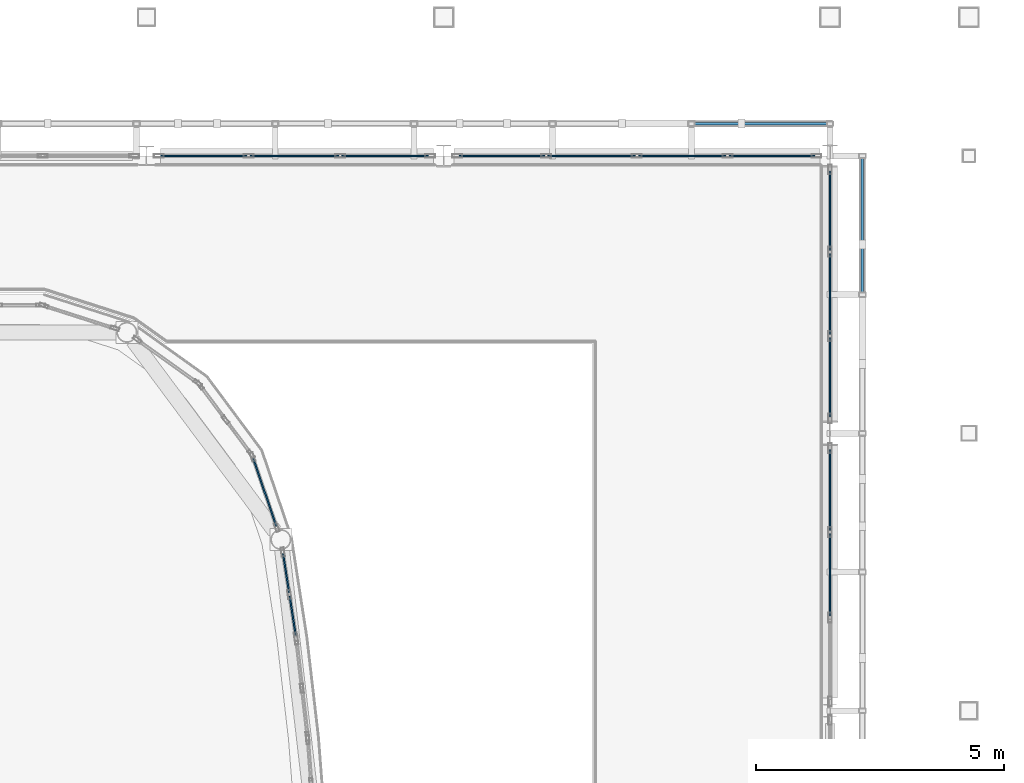
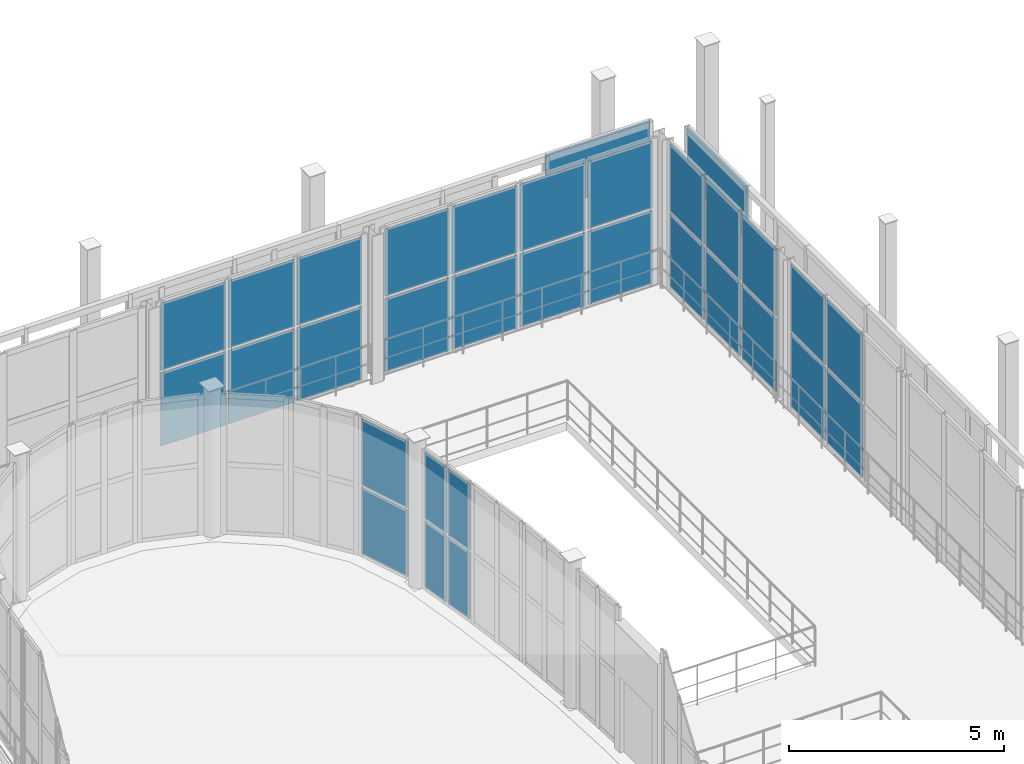
# One storey, part 84 of 121: 32 plates, 6 elements without a shape of their own.
"""IFC4 building model written with IfcOpenShell, lengths in metres."""

from ifc_helpers import new_model, si_unit, direction, frame, origin, origin_2d, place, context, subcontext, project, spatial, rectangle, extrude, material, layer, layer_set, type_object, element, aggregate, save


model = new_model("IFC4")

# Units and contexts
model_context = context("Model", 3, precision=1e-05, world=origin(), true_north=direction((0.0, 1.0)))
body_context = subcontext(model_context, "Body", "Model", "MODEL_VIEW")
ifc_project = project(units=[si_unit("LENGTHUNIT", "METRE"), si_unit("AREAUNIT", "SQUARE_METRE"), si_unit("VOLUMEUNIT", "CUBIC_METRE"), si_unit("PLANEANGLEUNIT", "RADIAN"), si_unit("MASSUNIT", "GRAM", prefix="KILO")], contexts=[model_context])

# Site, building, storey
site_placement = place(None, origin())
site = spatial("IfcSite", under=ifc_project, at=site_placement, CompositionType="ELEMENT")
building_placement = place(site_placement, origin())
building = spatial("IfcBuilding", under=site, at=building_placement, Name="Vinh Khe Railworks Police Headquarters", CompositionType="ELEMENT")
storey_placement = place(building_placement, frame((0.0, 0.0, 4.800048828125)))
storey = spatial("IfcBuildingStorey", under=building, at=storey_placement, Name="L01", CompositionType="ELEMENT", Elevation=4.800048828125)

# Curtain wall, plates
ifc_material_1 = material(Name="Anodised aluminium and acoustic laminated glass", Category="aluminium")
ifc_layer_1 = layer(ifc_material_1, 0.159912109375)
ifc_layer_set_1 = layer_set([ifc_layer_1], Name="Anodised aluminium and acoustic laminated glass")
curtain_wall_type_1 = type_object("IfcCurtainWallType", Name="CW-DRUM-CHORD", PredefinedType="USERDEFINED", material=ifc_layer_set_1)
curtain_wall_1_placement = place(storey_placement, origin())
curtain_wall_1 = element("IfcCurtainWall", 1, at=curtain_wall_1_placement, inside=storey, type_object=curtain_wall_type_1, Name="Elliptical Command Drum Glazing L01 Chord 9", ObjectType="DRUM FACADE GLAZING", PredefinedType="USERDEFINED")
ifc_material_2 = material(Name="Acoustic laminated solar-control glass", Category="glass")
ifc_layer_2 = layer(ifc_material_2, 0.031982421875)
ifc_layer_set_2 = layer_set([ifc_layer_2], Name="Acoustic laminated solar-control glass")
plate_type_1 = type_object("IfcPlateType", Name="PAN-DRUM-32", PredefinedType="CURTAIN_PANEL", material=ifc_layer_set_2)
plate_1_placement = place(storey_placement, frame((49.15185546875, 49.51806640625, 0.06494140625), z_axis=(0.0, 0.0, 1.0), x_axis=(-0.153489573502, 0.988150267331, 0.0)))
plate_1 = element("IfcPlate", 2, at=plate_1_placement, type_object=plate_type_1, Name="CW-02 panel 1.1", PredefinedType="CURTAIN_PANEL", context=body_context, shape_type="SweptSolid", body=[
    extrude(rectangle(XDim=0.802001953125, YDim=0.031982421875, at=origin_2d()), origin(), (0.0, 0.0, 1.0), 1.887451171875),
])
plate_2_placement = place(storey_placement, frame((49.15185546875, 49.51806640625, 2.017578125), z_axis=(0.0, 0.0, 1.0), x_axis=(-0.153489573502, 0.988150267331, 0.0)))
plate_2 = element("IfcPlate", 3, at=plate_2_placement, type_object=plate_type_1, Name="CW-02 panel 1.2", PredefinedType="CURTAIN_PANEL", context=body_context, shape_type="SweptSolid", body=[
    extrude(rectangle(XDim=0.802001953125, YDim=0.031982421875, at=origin_2d()), origin(), (0.0, 0.0, 1.0), 1.887451171875),
])
plate_3_placement = place(storey_placement, frame((49.018798828125, 50.374755859375, 0.06494140625), z_axis=(0.0, 0.0, 1.0), x_axis=(-0.153489573502, 0.988150267331, 0.0)))
plate_3 = element("IfcPlate", 4, at=plate_3_placement, type_object=plate_type_1, Name="CW-02 panel 2.1", PredefinedType="CURTAIN_PANEL", context=body_context, shape_type="SweptSolid", body=[
    extrude(rectangle(XDim=0.802001953125, YDim=0.031982421875, at=origin_2d()), origin(), (0.0, 0.0, 1.0), 1.887451171875),
])
plate_4_placement = place(storey_placement, frame((49.018798828125, 50.374755859375, 2.017578125), z_axis=(0.0, 0.0, 1.0), x_axis=(-0.153489573502, 0.988150267331, 0.0)))
plate_4 = element("IfcPlate", 5, at=plate_4_placement, type_object=plate_type_1, Name="CW-02 panel 2.2", PredefinedType="CURTAIN_PANEL", context=body_context, shape_type="SweptSolid", body=[
    extrude(rectangle(XDim=0.802001953125, YDim=0.031982421875, at=origin_2d()), origin(), (0.0, 0.0, 1.0), 1.887451171875),
])
aggregate(curtain_wall_1, [plate_1, plate_2, plate_3, plate_4])

curtain_wall_2_placement = place(storey_placement, origin())
curtain_wall_2 = element("IfcCurtainWall", 6, at=curtain_wall_2_placement, inside=storey, type_object=curtain_wall_type_1, Name="Elliptical Command Drum Glazing L01 Chord 10", ObjectType="DRUM FACADE GLAZING", PredefinedType="USERDEFINED")
plate_5_placement = place(storey_placement, frame((48.587646484375, 52.010498046875, 0.06494140625), z_axis=(0.0, 0.0, 1.0), x_axis=(-0.322750407381, 0.946484112141, 0.0)))
plate_5 = element("IfcPlate", 7, at=plate_5_placement, type_object=plate_type_1, Name="CW-02 panel 1.1", PredefinedType="CURTAIN_PANEL", context=body_context, shape_type="SweptSolid", body=[
    extrude(rectangle(XDim=1.440673828125, YDim=0.031982421875, at=origin_2d()), origin(), (0.0, 0.0, 1.0), 1.887451171875),
])
plate_6_placement = place(storey_placement, frame((48.587646484375, 52.010498046875, 2.017578125), z_axis=(0.0, 0.0, 1.0), x_axis=(-0.322750407381, 0.946484112141, 0.0)))
plate_6 = element("IfcPlate", 8, at=plate_6_placement, type_object=plate_type_1, Name="CW-02 panel 1.2", PredefinedType="CURTAIN_PANEL", context=body_context, shape_type="SweptSolid", body=[
    extrude(rectangle(XDim=1.440673828125, YDim=0.031982421875, at=origin_2d()), origin(), (0.0, 0.0, 1.0), 1.887451171875),
])
aggregate(curtain_wall_2, [plate_5, plate_6])

ifc_material_3 = material(Name="Anodised aluminium and low-iron glass", Category="aluminium")
ifc_layer_3 = layer(ifc_material_3, 0.179931640625)
ifc_layer_set_3 = layer_set([ifc_layer_3], Name="Anodised aluminium and low-iron glass")
curtain_wall_type_2 = type_object("IfcCurtainWallType", Name="CW-CUBE-UNIT", PredefinedType="USERDEFINED", material=ifc_layer_set_3)
curtain_wall_3_placement = place(storey_placement, origin())
curtain_wall_3 = element("IfcCurtainWall", 9, at=curtain_wall_3_placement, inside=storey, type_object=curtain_wall_type_2, Name="Entrance Hall Curtain Wall L01 N-4", ObjectType="UNITISED GLAZING", PredefinedType="USERDEFINED")
ifc_material_4 = material(Name="Low-iron laminated solar-control glass", Category="glass")
ifc_layer_4 = layer(ifc_material_4, 0.028076171875)
ifc_layer_set_4 = layer_set([ifc_layer_4], Name="Low-iron laminated solar-control glass")
plate_type_2 = type_object("IfcPlateType", Name="PAN-GLZ-28", PredefinedType="CURTAIN_PANEL", material=ifc_layer_set_4)
plate_7_placement = place(storey_placement, frame((47.356689453125, 58.800048828125, 0.06982421875), z_axis=(0.0, 0.0, 1.0), x_axis=(1.0, 0.0, 0.0)))
plate_7 = element("IfcPlate", 10, at=plate_7_placement, type_object=plate_type_2, Name="CW-01 panel 1.1", PredefinedType="CURTAIN_PANEL", context=body_context, shape_type="SweptSolid", body=[
    extrude(rectangle(XDim=1.743408203125, YDim=0.028076171875, at=origin_2d()), origin(), (0.0, 0.0, 1.0), 2.0791015625),
])
plate_8_placement = place(storey_placement, frame((47.356689453125, 58.800048828125, 2.21923828125), z_axis=(0.0, 0.0, 1.0), x_axis=(1.0, 0.0, 0.0)))
plate_8 = element("IfcPlate", 11, at=plate_8_placement, type_object=plate_type_2, Name="CW-01 panel 1.2", PredefinedType="CURTAIN_PANEL", context=body_context, shape_type="SweptSolid", body=[
    extrude(rectangle(XDim=1.743408203125, YDim=0.028076171875, at=origin_2d()), origin(), (0.0, 0.0, 1.0), 1.910888671875),
])
plate_9_placement = place(storey_placement, frame((49.1875, 58.800048828125, 0.06982421875), z_axis=(0.0, 0.0, 1.0), x_axis=(1.0, 0.0, 0.0)))
plate_9 = element("IfcPlate", 12, at=plate_9_placement, type_object=plate_type_2, Name="CW-01 panel 2.1", PredefinedType="CURTAIN_PANEL", context=body_context, shape_type="SweptSolid", body=[
    extrude(rectangle(XDim=1.7783203125, YDim=0.028076171875, at=origin_2d()), origin(), (0.0, 0.0, 1.0), 2.0791015625),
])
plate_10_placement = place(storey_placement, frame((49.1875, 58.800048828125, 2.21923828125), z_axis=(0.0, 0.0, 1.0), x_axis=(1.0, 0.0, 0.0)))
plate_10 = element("IfcPlate", 13, at=plate_10_placement, type_object=plate_type_2, Name="CW-01 panel 2.2", PredefinedType="CURTAIN_PANEL", context=body_context, shape_type="SweptSolid", body=[
    extrude(rectangle(XDim=1.7783203125, YDim=0.028076171875, at=origin_2d()), origin(), (0.0, 0.0, 1.0), 1.910888671875),
])
plate_11_placement = place(storey_placement, frame((51.018310546875, 58.800048828125, 0.06982421875), z_axis=(0.0, 0.0, 1.0), x_axis=(1.0, 0.0, 0.0)))
plate_11 = element("IfcPlate", 14, at=plate_11_placement, type_object=plate_type_2, Name="CW-01 panel 3.1", PredefinedType="CURTAIN_PANEL", context=body_context, shape_type="SweptSolid", body=[
    extrude(rectangle(XDim=1.743408203125, YDim=0.028076171875, at=origin_2d()), origin(), (0.0, 0.0, 1.0), 2.0791015625),
])
plate_12_placement = place(storey_placement, frame((51.018310546875, 58.800048828125, 2.21923828125), z_axis=(0.0, 0.0, 1.0), x_axis=(1.0, 0.0, 0.0)))
plate_12 = element("IfcPlate", 15, at=plate_12_placement, type_object=plate_type_2, Name="CW-01 panel 3.2", PredefinedType="CURTAIN_PANEL", context=body_context, shape_type="SweptSolid", body=[
    extrude(rectangle(XDim=1.743408203125, YDim=0.028076171875, at=origin_2d()), origin(), (0.0, 0.0, 1.0), 1.910888671875),
])
aggregate(curtain_wall_3, [plate_7, plate_8, plate_9, plate_10, plate_11, plate_12])

curtain_wall_4_placement = place(storey_placement, origin())
curtain_wall_4 = element("IfcCurtainWall", 16, at=curtain_wall_4_placement, inside=storey, type_object=curtain_wall_type_2, Name="Entrance Hall Curtain Wall L01 N-5", ObjectType="UNITISED GLAZING", PredefinedType="USERDEFINED")
plate_13_placement = place(storey_placement, frame((53.37255859375, 58.800048828125, 0.06982421875), z_axis=(0.0, 0.0, 1.0), x_axis=(1.0, 0.0, 0.0)))
plate_13 = element("IfcPlate", 17, at=plate_13_placement, type_object=plate_type_2, Name="CW-01 panel 1.1", PredefinedType="CURTAIN_PANEL", context=body_context, shape_type="SweptSolid", body=[
    extrude(rectangle(XDim=1.72509765625, YDim=0.028076171875, at=origin_2d()), origin(), (0.0, 0.0, 1.0), 2.0791015625),
])
plate_14_placement = place(storey_placement, frame((53.37255859375, 58.800048828125, 2.21923828125), z_axis=(0.0, 0.0, 1.0), x_axis=(1.0, 0.0, 0.0)))
plate_14 = element("IfcPlate", 18, at=plate_14_placement, type_object=plate_type_2, Name="CW-01 panel 1.2", PredefinedType="CURTAIN_PANEL", context=body_context, shape_type="SweptSolid", body=[
    extrude(rectangle(XDim=1.72509765625, YDim=0.028076171875, at=origin_2d()), origin(), (0.0, 0.0, 1.0), 1.910888671875),
])
plate_15_placement = place(storey_placement, frame((55.18505859375, 58.800048828125, 0.06982421875), z_axis=(0.0, 0.0, 1.0), x_axis=(1.0, 0.0, 0.0)))
plate_15 = element("IfcPlate", 19, at=plate_15_placement, type_object=plate_type_2, Name="CW-01 panel 2.1", PredefinedType="CURTAIN_PANEL", context=body_context, shape_type="SweptSolid", body=[
    extrude(rectangle(XDim=1.760009765625, YDim=0.028076171875, at=origin_2d()), origin(), (0.0, 0.0, 1.0), 2.0791015625),
])
plate_16_placement = place(storey_placement, frame((55.18505859375, 58.800048828125, 2.21923828125), z_axis=(0.0, 0.0, 1.0), x_axis=(1.0, 0.0, 0.0)))
plate_16 = element("IfcPlate", 20, at=plate_16_placement, type_object=plate_type_2, Name="CW-01 panel 2.2", PredefinedType="CURTAIN_PANEL", context=body_context, shape_type="SweptSolid", body=[
    extrude(rectangle(XDim=1.760009765625, YDim=0.028076171875, at=origin_2d()), origin(), (0.0, 0.0, 1.0), 1.910888671875),
])
plate_17_placement = place(storey_placement, frame((57.014892578125, 58.800048828125, 0.06982421875), z_axis=(0.0, 0.0, 1.0), x_axis=(1.0, 0.0, 0.0)))
plate_17 = element("IfcPlate", 21, at=plate_17_placement, type_object=plate_type_2, Name="CW-01 panel 3.1", PredefinedType="CURTAIN_PANEL", context=body_context, shape_type="SweptSolid", body=[
    extrude(rectangle(XDim=1.760009765625, YDim=0.028076171875, at=origin_2d()), origin(), (0.0, 0.0, 1.0), 2.0791015625),
])
plate_18_placement = place(storey_placement, frame((57.014892578125, 58.800048828125, 2.21923828125), z_axis=(0.0, 0.0, 1.0), x_axis=(1.0, 0.0, 0.0)))
plate_18 = element("IfcPlate", 22, at=plate_18_placement, type_object=plate_type_2, Name="CW-01 panel 3.2", PredefinedType="CURTAIN_PANEL", context=body_context, shape_type="SweptSolid", body=[
    extrude(rectangle(XDim=1.760009765625, YDim=0.028076171875, at=origin_2d()), origin(), (0.0, 0.0, 1.0), 1.910888671875),
])
plate_19_placement = place(storey_placement, frame((58.827392578125, 58.800048828125, 0.06982421875), z_axis=(0.0, 0.0, 1.0), x_axis=(1.0, 0.0, 0.0)))
plate_19 = element("IfcPlate", 23, at=plate_19_placement, type_object=plate_type_2, Name="CW-01 panel 4.1", PredefinedType="CURTAIN_PANEL", context=body_context, shape_type="SweptSolid", body=[
    extrude(rectangle(XDim=1.72509765625, YDim=0.028076171875, at=origin_2d()), origin(), (0.0, 0.0, 1.0), 2.0791015625),
])
plate_20_placement = place(storey_placement, frame((58.827392578125, 58.800048828125, 2.21923828125), z_axis=(0.0, 0.0, 1.0), x_axis=(1.0, 0.0, 0.0)))
plate_20 = element("IfcPlate", 24, at=plate_20_placement, type_object=plate_type_2, Name="CW-01 panel 4.2", PredefinedType="CURTAIN_PANEL", context=body_context, shape_type="SweptSolid", body=[
    extrude(rectangle(XDim=1.72509765625, YDim=0.028076171875, at=origin_2d()), origin(), (0.0, 0.0, 1.0), 1.910888671875),
])
aggregate(curtain_wall_4, [plate_13, plate_14, plate_15, plate_16, plate_17, plate_18, plate_19, plate_20])

curtain_wall_5_placement = place(storey_placement, origin())
curtain_wall_5 = element("IfcCurtainWall", 25, at=curtain_wall_5_placement, inside=storey, type_object=curtain_wall_type_2, Name="Entrance Hall Curtain Wall L01 E-5", ObjectType="UNITISED GLAZING", PredefinedType="USERDEFINED")
plate_21_placement = place(storey_placement, frame((60.0, 50.342529296875, 0.06982421875), z_axis=(0.0, 0.0, 1.0), x_axis=(0.0, 1.0, 0.0)))
plate_21 = element("IfcPlate", 26, at=plate_21_placement, type_object=plate_type_2, Name="CW-01 panel 2.1", PredefinedType="CURTAIN_PANEL", context=body_context, shape_type="SweptSolid", body=[
    extrude(rectangle(XDim=1.658447265625, YDim=0.028076171875, at=origin_2d()), origin(), (0.0, 0.0, 1.0), 2.0791015625),
])
plate_22_placement = place(storey_placement, frame((60.0, 50.342529296875, 2.21923828125), z_axis=(0.0, 0.0, 1.0), x_axis=(0.0, 1.0, 0.0)))
plate_22 = element("IfcPlate", 27, at=plate_22_placement, type_object=plate_type_2, Name="CW-01 panel 2.2", PredefinedType="CURTAIN_PANEL", context=body_context, shape_type="SweptSolid", body=[
    extrude(rectangle(XDim=1.658447265625, YDim=0.028076171875, at=origin_2d()), origin(), (0.0, 0.0, 1.0), 1.910888671875),
])
plate_23_placement = place(storey_placement, frame((60.0, 52.05322265625, 0.06982421875), z_axis=(0.0, 0.0, 1.0), x_axis=(0.0, 1.0, 0.0)))
plate_23 = element("IfcPlate", 28, at=plate_23_placement, type_object=plate_type_2, Name="CW-01 panel 3.1", PredefinedType="CURTAIN_PANEL", context=body_context, shape_type="SweptSolid", body=[
    extrude(rectangle(XDim=1.623291015625, YDim=0.028076171875, at=origin_2d()), origin(), (0.0, 0.0, 1.0), 2.0791015625),
])
plate_24_placement = place(storey_placement, frame((60.0, 52.05322265625, 2.21923828125), z_axis=(0.0, 0.0, 1.0), x_axis=(0.0, 1.0, 0.0)))
plate_24 = element("IfcPlate", 29, at=plate_24_placement, type_object=plate_type_2, Name="CW-01 panel 3.2", PredefinedType="CURTAIN_PANEL", context=body_context, shape_type="SweptSolid", body=[
    extrude(rectangle(XDim=1.623291015625, YDim=0.028076171875, at=origin_2d()), origin(), (0.0, 0.0, 1.0), 1.910888671875),
])
aggregate(curtain_wall_5, [plate_21, plate_22, plate_23, plate_24])

curtain_wall_6_placement = place(storey_placement, origin())
curtain_wall_6 = element("IfcCurtainWall", 30, at=curtain_wall_6_placement, inside=storey, type_object=curtain_wall_type_2, Name="Entrance Hall Curtain Wall L01 E-6", ObjectType="UNITISED GLAZING", PredefinedType="USERDEFINED")
plate_25_placement = place(storey_placement, frame((60.0, 54.331787109375, 0.06982421875), z_axis=(0.0, 0.0, 1.0), x_axis=(0.0, 1.0, 0.0)))
plate_25 = element("IfcPlate", 31, at=plate_25_placement, type_object=plate_type_2, Name="CW-01 panel 1.1", PredefinedType="CURTAIN_PANEL", context=body_context, shape_type="SweptSolid", body=[
    extrude(rectangle(XDim=1.59326171875, YDim=0.028076171875, at=origin_2d()), origin(), (0.0, 0.0, 1.0), 2.0791015625),
])
plate_26_placement = place(storey_placement, frame((60.0, 54.331787109375, 2.21923828125), z_axis=(0.0, 0.0, 1.0), x_axis=(0.0, 1.0, 0.0)))
plate_26 = element("IfcPlate", 32, at=plate_26_placement, type_object=plate_type_2, Name="CW-01 panel 1.2", PredefinedType="CURTAIN_PANEL", context=body_context, shape_type="SweptSolid", body=[
    extrude(rectangle(XDim=1.59326171875, YDim=0.028076171875, at=origin_2d()), origin(), (0.0, 0.0, 1.0), 1.910888671875),
])
plate_27_placement = place(storey_placement, frame((60.0, 56.012451171875, 0.06982421875), z_axis=(0.0, 0.0, 1.0), x_axis=(0.0, 1.0, 0.0)))
plate_27 = element("IfcPlate", 33, at=plate_27_placement, type_object=plate_type_2, Name="CW-01 panel 2.1", PredefinedType="CURTAIN_PANEL", context=body_context, shape_type="SweptSolid", body=[
    extrude(rectangle(XDim=1.62841796875, YDim=0.028076171875, at=origin_2d()), origin(), (0.0, 0.0, 1.0), 2.0791015625),
])
plate_28_placement = place(storey_placement, frame((60.0, 56.012451171875, 2.21923828125), z_axis=(0.0, 0.0, 1.0), x_axis=(0.0, 1.0, 0.0)))
plate_28 = element("IfcPlate", 34, at=plate_28_placement, type_object=plate_type_2, Name="CW-01 panel 2.2", PredefinedType="CURTAIN_PANEL", context=body_context, shape_type="SweptSolid", body=[
    extrude(rectangle(XDim=1.62841796875, YDim=0.028076171875, at=origin_2d()), origin(), (0.0, 0.0, 1.0), 1.910888671875),
])
plate_29_placement = place(storey_placement, frame((60.0, 57.693359375, 0.06982421875), z_axis=(0.0, 0.0, 1.0), x_axis=(0.0, 1.0, 0.0)))
plate_29 = element("IfcPlate", 35, at=plate_29_placement, type_object=plate_type_2, Name="CW-01 panel 3.1", PredefinedType="CURTAIN_PANEL", context=body_context, shape_type="SweptSolid", body=[
    extrude(rectangle(XDim=1.59326171875, YDim=0.028076171875, at=origin_2d()), origin(), (0.0, 0.0, 1.0), 2.0791015625),
])
plate_30_placement = place(storey_placement, frame((60.0, 57.693359375, 2.21923828125), z_axis=(0.0, 0.0, 1.0), x_axis=(0.0, 1.0, 0.0)))
plate_30 = element("IfcPlate", 36, at=plate_30_placement, type_object=plate_type_2, Name="CW-01 panel 3.2", PredefinedType="CURTAIN_PANEL", context=body_context, shape_type="SweptSolid", body=[
    extrude(rectangle(XDim=1.59326171875, YDim=0.028076171875, at=origin_2d()), origin(), (0.0, 0.0, 1.0), 1.910888671875),
])
aggregate(curtain_wall_6, [plate_25, plate_26, plate_27, plate_28, plate_29, plate_30])

# Plates
ifc_material_5 = material(Name="Weathered architectural steel", Category="steel")
ifc_layer_5 = layer(ifc_material_5, 0.044921875)
ifc_layer_set_5 = layer_set([ifc_layer_5], Name="Weathered architectural steel")
plate_type_3 = type_object("IfcPlateType", Name="PLT-QP-02", PredefinedType="SHEET", material=ifc_layer_set_5)
for number, where, z_axis, x_axis, name in (
    (37, (58.60009765625, 59.449951171875, 2.60400390625), (0.0, 0.0, 1.0), (1.0, 0.0, 0.0), "Weathered Steel Casement Spandrel N-12"),
    (38, (60.64990234375, 57.39990234375, 2.60400390625), (0.0, 0.0, 1.0), (0.0, 1.0, 0.0), "Weathered Steel Casement Spandrel E-12"),
):
    element("IfcPlate", number, at=place(storey_placement, frame(where, z_axis=z_axis, x_axis=x_axis)), inside=storey, type_object=plate_type_3, Name=name, PredefinedType="SHEET", context=body_context, shape_type="SweptSolid", body=[
        extrude(rectangle(XDim=2.800048828125, YDim=0.044921875, at=origin_2d()), origin(), (0.0, 0.0, 1.0), 1.595947265625),
    ])

save(model, "model.ifc")
